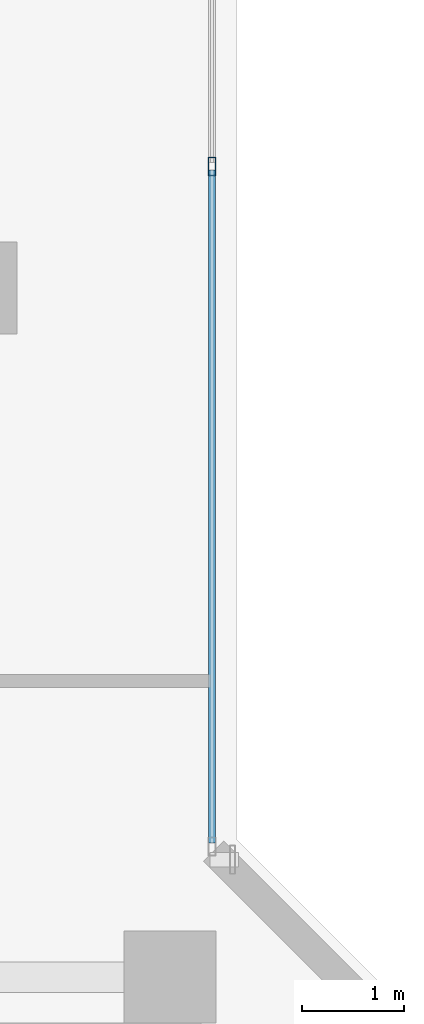
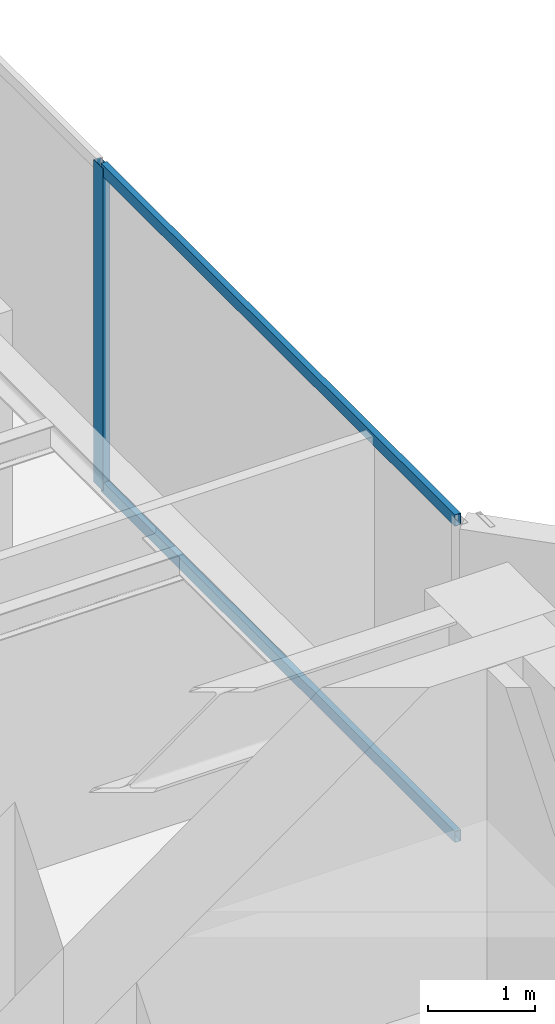
# One storey, part 14 of 31: 3 members, 1 element without a shape of its own.
"""IFC4 building model written with IfcOpenShell, lengths in metres."""

import ifcopenshell
import ifcopenshell.guid

model = None  # the IFC model being written
_history = None  # IfcOwnerHistory: only IFC2X3 demands one
_inside = {}  # id of a spatial element -> (the spatial element, [elements in it])
_under = {}  # id of a project, library or spatial element -> (it, [spatial elements below it])
_declared = {}  # id of a project -> (the project, [libraries it declares])
_typed = {}  # id of a type object -> (the type object, [elements of that type])
_made_of = {}  # id of a material, layer set ... -> (it, [elements and type objects made of it])


def new_model(schema):
    """Start an empty IFC model of exactly this schema.

    Asked for "IFC4X3", IfcOpenShell would pick the latest addendum, in which some entities
    have other attributes; the version numbers below select the first issue.
    IFC2X3 requires an IfcOwnerHistory on every rooted entity: one is made here for all.
    """
    global model, _history
    if schema == "IFC4X3":
        model = ifcopenshell.file(schema_version=(4, 3, 0, 0))
    else:
        model = ifcopenshell.file(schema=schema)
    _inside.clear()
    _under.clear()
    _declared.clear()
    _typed.clear()
    _made_of.clear()
    _history = None
    if model.schema == "IFC2X3":
        org = make("IfcOrganization", Name="unknown")
        user = make(
            "IfcPersonAndOrganization",
            ThePerson=make("IfcPerson", FamilyName="unknown"),
            TheOrganization=org,
        )
        app = make(
            "IfcApplication",
            ApplicationDeveloper=org,
            Version="unknown",
            ApplicationFullName="unknown",
            ApplicationIdentifier="unknown",
        )
        _history = make(
            "IfcOwnerHistory",
            OwningUser=user,
            OwningApplication=app,
            ChangeAction="ADDED",
            CreationDate=0,
        )
    return model


def make(cls, **values):
    """One entity of the class cls with the attributes given. An attribute that is None is left unset."""
    return model.create_entity(
        cls, **{name: value for name, value in values.items() if value is not None}
    )


def rooted(cls, **values):
    """An entity with a GlobalId (a new one), such as an element, a storey or a relation."""
    return make(cls, GlobalId=ifcopenshell.guid.new(), OwnerHistory=_history, **values)


def si_unit(unit_type, name, prefix=None):
    """IfcSIUnit, for example si_unit("LENGTHUNIT", "METRE", prefix="MILLI")."""
    return make("IfcSIUnit", UnitType=unit_type, Prefix=prefix, Name=name)


def assignment(units):
    """IfcUnitAssignment: the units of a project."""
    return None if units is None else make("IfcUnitAssignment", Units=units)


def point(xyz):
    """IfcCartesianPoint."""
    return None if xyz is None else make("IfcCartesianPoint", Coordinates=xyz)


def direction(xyz):
    """IfcDirection."""
    return None if xyz is None else make("IfcDirection", DirectionRatios=xyz)


def frame(location, z_axis=None, x_axis=None):
    """IfcAxis2Placement3D, a coordinate frame: its origin and axes. An axis left out is left unset."""
    return make(
        "IfcAxis2Placement3D",
        Location=point(location),
        Axis=direction(z_axis),
        RefDirection=direction(x_axis),
    )


def frame_2d(location, x_axis=None):
    """IfcAxis2Placement2D, a coordinate frame in the plane: its origin and x axis."""
    return make(
        "IfcAxis2Placement2D", Location=point(location), RefDirection=direction(x_axis)
    )


def origin():
    """The frame at (0, 0, 0) with its axes left unset."""
    return frame((0.0, 0.0, 0.0))


def origin_with_axes():
    """The frame at (0, 0, 0) with the z axis (0, 0, 1) and the x axis (1, 0, 0) written out."""
    return frame((0.0, 0.0, 0.0), z_axis=(0.0, 0.0, 1.0), x_axis=(1.0, 0.0, 0.0))


def origin_2d():
    """The frame at (0, 0) in the plane with its x axis left unset."""
    return frame_2d((0.0, 0.0))


def place(relative_to, where):
    """IfcLocalPlacement: puts the frame where relative to a parent placement (None: the world)."""
    return make(
        "IfcLocalPlacement", PlacementRelTo=relative_to, RelativePlacement=where
    )


def context(
    kind, dimensions, precision=None, world=None, true_north=None, identifier=None
):
    """IfcGeometricRepresentationContext, for example the 3D "Model" context."""
    return make(
        "IfcGeometricRepresentationContext",
        ContextIdentifier=identifier,
        ContextType=kind,
        CoordinateSpaceDimension=dimensions,
        Precision=precision,
        WorldCoordinateSystem=world,
        TrueNorth=true_north,
    )


def subcontext(parent, identifier, kind, view, scale=None):
    """IfcGeometricRepresentationSubContext, for example "Body" below "Model"."""
    return make(
        "IfcGeometricRepresentationSubContext",
        ContextIdentifier=identifier,
        ContextType=kind,
        ParentContext=parent,
        TargetScale=scale,
        TargetView=view,
    )


def project(units=None, contexts=None):
    """IfcProject with its units and contexts."""
    return rooted(
        "IfcProject",
        Name="project",
        RepresentationContexts=contexts,
        UnitsInContext=assignment(units),
    )


def spatial(cls, under=None, at=None, **own):
    """A site, building, storey or space (cls), placed at a placement, below another one or the project."""
    s = rooted(cls, ObjectPlacement=at, **own)
    if under is not None:
        _under.setdefault(under.id(), (under, []))[1].append(s)
    return s


def profile(cls, at=None, kind="AREA", **sizes):
    """A parametric profile (cls). Its sizes go by their IFC names, for example OverallWidth=200.0."""
    return make(cls, ProfileType=kind, Position=at, **sizes)


def hollow_rectangle(**sizes):
    """IfcRectangleHollowProfileDef."""
    return profile("IfcRectangleHollowProfileDef", **sizes)


def extrude(swept, where, along, depth):
    """IfcExtrudedAreaSolid: the profile swept, set in the frame where, extruded along a direction by depth."""
    return make(
        "IfcExtrudedAreaSolid",
        SweptArea=swept,
        Position=where,
        ExtrudedDirection=direction(along),
        Depth=depth,
    )


def shape(context_of_items, identifier, shape_type, items):
    """IfcShapeRepresentation: the items that make up one representation, for example the "Body"."""
    return make(
        "IfcShapeRepresentation",
        ContextOfItems=context_of_items,
        RepresentationIdentifier=identifier,
        RepresentationType=shape_type,
        Items=items,
    )


def source(mapping_origin, context_of_items, identifier, shape_type, items):
    """IfcRepresentationMap: a shape defined once, which mapped items show again and again."""
    return make(
        "IfcRepresentationMap",
        MappingOrigin=mapping_origin,
        MappedRepresentation=shape(context_of_items, identifier, shape_type, items),
    )


def transform(
    local_origin,
    x_axis=None,
    y_axis=None,
    z_axis=None,
    scale=None,
    scale2=None,
    scale3=None,
    uniform=True,
):
    """IfcCartesianTransformationOperator3D, or its non-uniform kind. x_axis, y_axis, z_axis: its Axis1, 2, 3."""
    if uniform:
        return make(
            "IfcCartesianTransformationOperator3D",
            Axis1=direction(x_axis),
            Axis2=direction(y_axis),
            LocalOrigin=point(local_origin),
            Scale=scale,
            Axis3=direction(z_axis),
        )
    return make(
        "IfcCartesianTransformationOperator3DnonUniform",
        Axis1=direction(x_axis),
        Axis2=direction(y_axis),
        LocalOrigin=point(local_origin),
        Scale=scale,
        Axis3=direction(z_axis),
        Scale2=scale2,
        Scale3=scale3,
    )


def mapped(mapping_source, mapping_target):
    """IfcMappedItem: shows the shape of a source again, moved by a transform."""
    return make(
        "IfcMappedItem", MappingSource=mapping_source, MappingTarget=mapping_target
    )


def material(Name=None, Category=None):
    """IfcMaterial."""
    return make("IfcMaterial", Name=Name, Category=Category)


def layer(
    of_material, thickness, ventilated=None, Name=None, Category=None, Priority=None
):
    """IfcMaterialLayer: one layer of a wall or slab, of a material (None: an air gap)."""
    return make(
        "IfcMaterialLayer",
        Material=of_material,
        LayerThickness=thickness,
        IsVentilated=ventilated,
        Name=Name,
        Category=Category,
        Priority=Priority,
    )


def layer_set(layers, Name=None):
    """IfcMaterialLayerSet."""
    return make("IfcMaterialLayerSet", MaterialLayers=layers, LayerSetName=Name)


def material_profile(
    of_material, cross_section, Name=None, Category=None, Priority=None
):
    """IfcMaterialProfile: a cross section and its material."""
    return make(
        "IfcMaterialProfile",
        Name=Name,
        Material=of_material,
        Profile=cross_section,
        Priority=Priority,
        Category=Category,
    )


def profile_set(profiles, Name=None, composite=None):
    """IfcMaterialProfileSet."""
    return make(
        "IfcMaterialProfileSet",
        Name=Name,
        MaterialProfiles=profiles,
        CompositeProfile=composite,
    )


def made_of(thing, what):
    """Note that an element or type object is made of a material, layer set ...; save() writes the relation."""
    if what is not None:
        _made_of.setdefault(what.id(), (what, []))[1].append(thing)
    return thing


def type_object(cls, material=None, **own):
    """A type object (cls), such as IfcWallType, which elements share."""
    return made_of(rooted(cls, **own), material)


def element(
    cls,
    number,
    at=None,
    inside=None,
    cuts=None,
    type_object=None,
    material=None,
    context=None,
    identifier="Body",
    shape_type=None,
    held_by="IfcProductDefinitionShape",
    body=None,
    shapes=None,
    **own,
):
    """One element of the class cls, such as IfcWall. Its Tag is "e" and its number.

    at: its placement. inside: the storey or other place that contains it. cuts: it is an
    opening in that element (IfcRelVoidsElement). A single representation is given by context,
    identifier, shape_type and body (its items); several are given by shapes. held_by: the class
    of the entity that holds the representations. save() writes the other relations.
    """
    e = rooted(cls, Tag="e%d" % number, ObjectPlacement=at, **own)
    if body is not None:
        shapes = [shape(context, identifier, shape_type, body)]
    if shapes is not None:
        e.Representation = make(held_by, Representations=shapes)
    if inside is not None:
        _inside.setdefault(inside.id(), (inside, []))[1].append(e)
    if cuts is not None:
        rooted(
            "IfcRelVoidsElement", RelatingBuildingElement=cuts, RelatedOpeningElement=e
        )
    if type_object is not None:
        _typed.setdefault(type_object.id(), (type_object, []))[1].append(e)
    return made_of(e, material)


def aggregate(whole, parts):
    """IfcRelAggregates: a whole, such as a stair, and the parts it consists of."""
    return rooted("IfcRelAggregates", RelatingObject=whole, RelatedObjects=parts)


def save(model, path):
    """Write the relations noted so far, then the file.

    IfcRelAggregates (storeys below a building ...), IfcRelContainedInSpatialStructure (elements
    in a storey), IfcRelDefinesByType, IfcRelAssociatesMaterial and IfcRelDeclares: one each for
    every whole, place, type object, material and project.
    """
    for whole, parts in _under.values():
        aggregate(whole, parts)
    for where, things in _inside.values():
        rooted(
            "IfcRelContainedInSpatialStructure",
            RelatedElements=things,
            RelatingStructure=where,
        )
    for kind, things in _typed.values():
        rooted("IfcRelDefinesByType", RelatedObjects=things, RelatingType=kind)
    for what, things in _made_of.values():
        rooted("IfcRelAssociatesMaterial", RelatedObjects=things, RelatingMaterial=what)
    for by, libraries in _declared.values():
        rooted("IfcRelDeclares", RelatingContext=by, RelatedDefinitions=libraries)
    model.write(path)


model = new_model("IFC4")

# Units and contexts
model_context = context("Model", 3, precision=1e-05, world=origin(), true_north=direction((0.0, 1.0)))
body_context = subcontext(model_context, "Body", "Model", "MODEL_VIEW")
ifc_project = project(units=[si_unit("LENGTHUNIT", "METRE"), si_unit("AREAUNIT", "SQUARE_METRE"), si_unit("VOLUMEUNIT", "CUBIC_METRE"), si_unit("PLANEANGLEUNIT", "RADIAN"), si_unit("MASSUNIT", "GRAM", prefix="KILO")], contexts=[model_context])

# Site, building, storey
site_placement = place(None, origin())
site = spatial("IfcSite", under=ifc_project, at=site_placement, CompositionType="ELEMENT")
building_placement = place(site_placement, origin())
building = spatial("IfcBuilding", under=site, at=building_placement, Name="Kolvaren Waterfront Exchange", CompositionType="ELEMENT")
storey_placement = place(building_placement, frame((0.0, 0.0, 344.199951171875)))
storey = spatial("IfcBuildingStorey", under=building, at=storey_placement, Name="L88", CompositionType="ELEMENT", Elevation=344.199951171875)

# Curtain wall, members
ifc_material = material(Name="Anodised bronze aluminium 6063-T6", Category="aluminium")
ifc_layer = layer(ifc_material, 0.219970703125, Name="Anodised bronze aluminium 6063-T6")
ifc_layer_set = layer_set([ifc_layer], Name="Anodised bronze aluminium 6063-T6")
curtain_wall_type = type_object("IfcCurtainWallType", Name="ARC-CW-SYS5", PredefinedType="USERDEFINED", material=ifc_layer_set)
curtain_wall_placement = place(storey_placement, origin())
curtain_wall = element("IfcCurtainWall", 1, at=curtain_wall_placement, inside=storey, type_object=curtain_wall_type, Name="L88 stick curtain wall CW5 (CW-L88-NE)", ObjectType="STICK CURTAIN WALL", PredefinedType="USERDEFINED")
ifc_material_profile_1 = material_profile(ifc_material, hollow_rectangle(XDim=0.074951171875, YDim=0.179931640625, WallThickness=0.00439453125, at=origin_2d()), Name="ALU-MUL-180x75x4.5")
ifc_profile_set_1 = profile_set([ifc_material_profile_1], Name="Anodised bronze aluminium 6063-T6")
member_type_1 = type_object("IfcMemberType", Name="ARC-CWM-180", PredefinedType="MULLION", material=ifc_profile_set_1)
shared_shape_1 = source(origin_with_axes(), body_context, "Body", "SweptSolid", [
    extrude(hollow_rectangle(XDim=0.074951171875, YDim=0.179931640625, WallThickness=0.00439453125, at=origin_2d()), origin(), (0.0, 0.0, 1.0), 3.66015625),
])
member_1_placement = place(storey_placement, frame((21.159912109375, 32.393310546875, 0.0), z_axis=(0.0, 0.0, 1.0), x_axis=(-1.0, 0.0, 0.0)))
member_1 = element("IfcMember", 2, at=member_1_placement, type_object=member_type_1, Name="CW5 mullion 2", PredefinedType="MULLION", context=body_context, shape_type="MappedRepresentation", body=[
    mapped(shared_shape_1, transform((0.0, 0.0, 0.0), x_axis=(1.0, 0.0, 0.0), y_axis=(0.0, 1.0, 0.0), z_axis=(0.0, 0.0, 1.0), scale=1.0)),
])
ifc_material_profile_2 = material_profile(ifc_material, hollow_rectangle(XDim=0.06494140625, YDim=0.1298828125, WallThickness=0.00390625, at=origin_2d()), Name="ALU-TRN-130x65x4")
ifc_profile_set_2 = profile_set([ifc_material_profile_2], Name="Anodised bronze aluminium 6063-T6")
member_type_2 = type_object("IfcMemberType", Name="ARC-CWT-130", PredefinedType="USERDEFINED", material=ifc_profile_set_2)
shared_shape_2 = source(origin_with_axes(), body_context, "Body", "SweptSolid", [
    extrude(hollow_rectangle(XDim=0.06494140625, YDim=0.1298828125, WallThickness=0.00390625, at=origin_2d()), origin(), (0.0, 0.0, 1.0), 6.5908203125),
])
member_2_placement = place(storey_placement, frame((21.159912109375, 25.764892578125, 0.032470703125), z_axis=(0.0, 1.0, 0.0), x_axis=(-1.0, 0.0, 0.0)))
member_2 = element("IfcMember", 3, at=member_2_placement, type_object=member_type_2, Name="CW5 transom 1.1", ObjectType="TRANSOM", PredefinedType="USERDEFINED", context=body_context, shape_type="MappedRepresentation", body=[
    mapped(shared_shape_2, transform((0.0, 0.0, 0.0), x_axis=(1.0, 0.0, 0.0), y_axis=(0.0, 1.0, 0.0), z_axis=(0.0, 0.0, 1.0), scale=1.0)),
])
member_3_placement = place(storey_placement, frame((21.159912109375, 25.764892578125, 3.62744140625), z_axis=(0.0, 1.0, 0.0), x_axis=(-1.0, 0.0, 0.0)))
member_3 = element("IfcMember", 4, at=member_3_placement, type_object=member_type_2, Name="CW5 transom 1.2", ObjectType="TRANSOM", PredefinedType="USERDEFINED", context=body_context, shape_type="MappedRepresentation", body=[
    mapped(shared_shape_2, transform((0.0, 0.0, 0.0), x_axis=(1.0, 0.0, 0.0), y_axis=(0.0, 1.0, 0.0), z_axis=(0.0, 0.0, 1.0), scale=1.0)),
])
aggregate(curtain_wall, [member_1, member_2, member_3])

save(model, "model.ifc")
